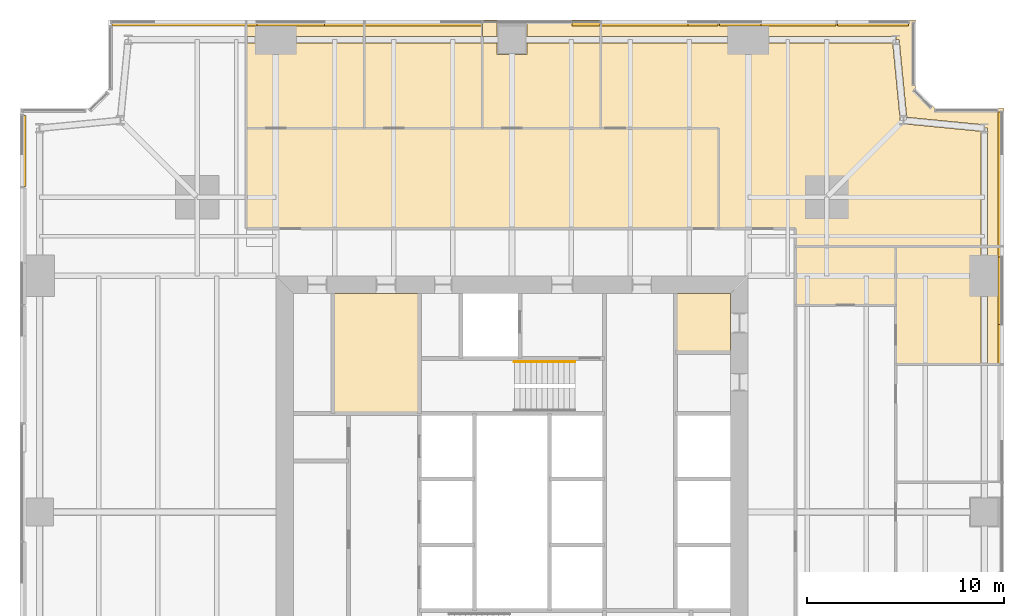
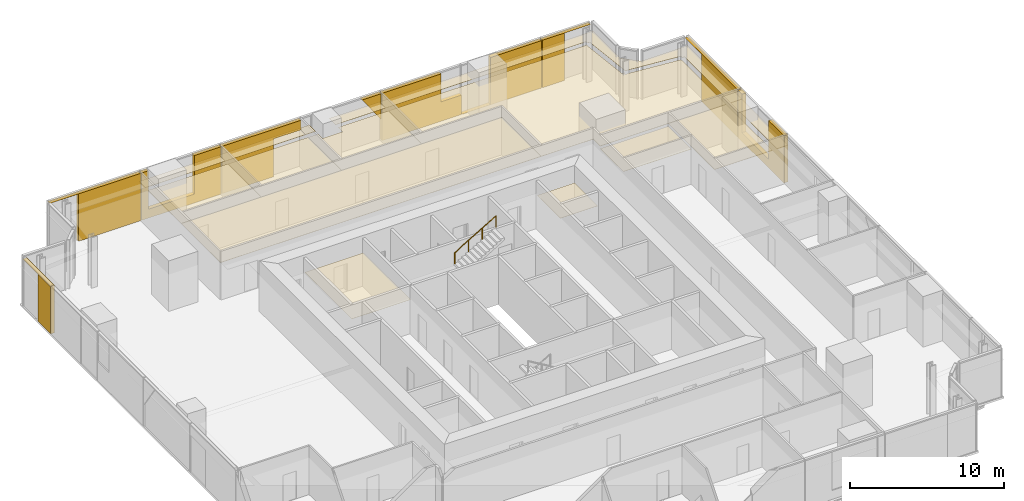
# One storey, part 13 of 13: 25 coverings, 1 railing.
"""IFC4 building model written with IfcOpenShell, lengths in metres."""

from ifc_helpers import new_model, si_unit, direction, frame, origin, origin_2d, place, context, subcontext, project, spatial, polyline, circle, outline, extrude, material, layer, layer_set, type_object, element, save


model = new_model("IFC4")

# Units and contexts
model_context = context("Model", 3, precision=1e-05, world=origin(), true_north=direction((0.0, 1.0)))
body_context = subcontext(model_context, "Body", "Model", "MODEL_VIEW")
ifc_project = project(units=[si_unit("LENGTHUNIT", "METRE"), si_unit("AREAUNIT", "SQUARE_METRE"), si_unit("VOLUMEUNIT", "CUBIC_METRE"), si_unit("PLANEANGLEUNIT", "RADIAN"), si_unit("MASSUNIT", "GRAM", prefix="KILO")], contexts=[model_context])

# Site, building, storey
site_placement = place(None, origin())
site = spatial("IfcSite", under=ifc_project, at=site_placement, CompositionType="ELEMENT")
building_placement = place(site_placement, origin())
building = spatial("IfcBuilding", under=site, at=building_placement, Name="Fenwick Lantern Interchange", CompositionType="ELEMENT")
storey_placement = place(building_placement, frame((0.0, 0.0, 102.39990234375)))
storey = spatial("IfcBuildingStorey", under=building, at=storey_placement, Name="L23", CompositionType="ELEMENT", Elevation=102.39990234375)

# Coverings
ifc_material_1 = material(Name="Mineral fibre acoustic tile on suspended grid")
ifc_layer_1 = layer(ifc_material_1, 0.02001953125)
ifc_layer_set_1 = layer_set([ifc_layer_1], Name="ACOUSTIC TILE CEILING 20")
covering_type_1 = type_object("IfcCoveringType", Name="ACOUSTIC TILE CEILING 20", PredefinedType="CEILING", material=ifc_layer_set_1)
covering_1_placement = place(storey_placement, frame((0.0, 0.0, 2.900146484375)))
element("IfcCovering", 1, at=covering_1_placement, inside=storey, type_object=covering_type_1, Name="Meeting room ceiling", PredefinedType="CEILING", context=body_context, shape_type="SweptSolid", body=[
    extrude(outline(polyline([(44.5, 32.5), (48.82763671875, 32.5), (48.82763671875, 37.0), (48.82763671875, 38.5), (44.5, 38.5), (44.5, 32.5)])), origin(), (0.0, 0.0, 1.0), 0.02001953125),
])
covering_2_placement = place(storey_placement, frame((0.0, 0.0, 2.900146484375)))
element("IfcCovering", 2, at=covering_2_placement, inside=storey, type_object=covering_type_1, Name="Meeting room ceiling", PredefinedType="CEILING", context=body_context, shape_type="SweptSolid", body=[
    extrude(outline(polyline([(50.0, 38.5), (49.17236328125, 38.5), (49.17236328125, 37.0), (49.17236328125, 32.5), (50.0, 32.5), (50.0, 38.5)])), origin(), (0.0, 0.0, 1.0), 0.02001953125),
])
covering_3_placement = place(storey_placement, frame((0.0, 0.0, 2.900146484375)))
element("IfcCovering", 3, at=covering_3_placement, inside=storey, type_object=covering_type_1, Name="Office suite ceiling", PredefinedType="CEILING", context=body_context, shape_type="SweptSolid", body=[
    extrude(outline(polyline([(35.5, 39.39990234375), (35.5, 44.5), (11.5, 44.5), (11.5, 39.39990234375), (35.5, 39.39990234375)])), origin(), (0.0, 0.0, 1.0), 0.02001953125),
])
covering_4_placement = place(storey_placement, frame((0.0, 0.0, 2.900146484375)))
element("IfcCovering", 4, at=covering_4_placement, inside=storey, type_object=covering_type_1, Name="Meeting room ceiling", PredefinedType="CEILING", context=body_context, shape_type="SweptSolid", body=[
    extrude(outline(polyline([(29.5, 48.82763671875), (29.5, 44.5), (35.5, 44.5), (35.5, 39.39990234375), (39.39990234375, 39.39990234375), (39.39990234375, 38.5), (48.82763671875, 38.5), (48.82763671875, 44.343505859375), (44.88330078125, 44.728515625), (44.89990234375, 44.89990234375), (44.728515625, 44.88330078125), (44.343505859375, 48.82763671875), (37.0, 48.82763671875), (29.5, 48.82763671875)])), origin(), (0.0, 0.0, 1.0), 0.02001953125),
])
covering_5_placement = place(storey_placement, frame((0.0, 0.0, 2.900146484375)))
element("IfcCovering", 5, at=covering_5_placement, inside=storey, type_object=covering_type_1, Name="Meeting room ceiling", PredefinedType="CEILING", context=body_context, shape_type="SweptSolid", body=[
    extrude(outline(polyline([(29.5, 50.0), (29.5, 49.17236328125), (37.0, 49.17236328125), (44.5, 49.17236328125), (44.5, 49.0), (44.671630859375, 49.016845703125), (45.057861328125, 45.057861328125), (49.016845703125, 44.671630859375), (49.0, 44.5), (49.17236328125, 44.5), (49.17236328125, 38.5), (50.0, 38.5), (50.0, 45.5), (46.5, 45.5), (45.5, 46.5), (45.5, 50.0), (29.5, 50.0)])), origin(), (0.0, 0.0, 1.0), 0.02001953125),
])
covering_6_placement = place(storey_placement, frame((0.0, 0.0, 2.900146484375)))
element("IfcCovering", 6, at=covering_6_placement, inside=storey, type_object=covering_type_1, Name="Meeting room ceiling", PredefinedType="CEILING", context=body_context, shape_type="SweptSolid", body=[
    extrude(outline(polyline([(29.5, 44.5), (29.5, 48.82763671875), (25.75, 48.82763671875), (25.75, 48.25), (24.25, 48.25), (24.25, 48.82763671875), (23.5, 48.82763671875), (23.5, 44.5), (29.5, 44.5)])), origin(), (0.0, 0.0, 1.0), 0.02001953125),
])
covering_7_placement = place(storey_placement, frame((0.0, 0.0, 2.900146484375)))
element("IfcCovering", 7, at=covering_7_placement, inside=storey, type_object=covering_type_1, Name="Meeting room ceiling", PredefinedType="CEILING", context=body_context, shape_type="SweptSolid", body=[
    extrude(outline(polyline([(29.5, 49.17236328125), (29.5, 50.0), (25.75, 50.0), (25.75, 49.17236328125), (29.5, 49.17236328125)])), origin(), (0.0, 0.0, 1.0), 0.02001953125),
])
covering_8_placement = place(storey_placement, frame((0.0, 0.0, 2.900146484375)))
element("IfcCovering", 8, at=covering_8_placement, inside=storey, type_object=covering_type_1, Name="Meeting room ceiling", PredefinedType="CEILING", context=body_context, shape_type="SweptSolid", body=[
    extrude(outline(polyline([(23.5, 50.0), (23.5, 49.17236328125), (24.25, 49.17236328125), (24.25, 50.0), (23.5, 50.0)])), origin(), (0.0, 0.0, 1.0), 0.02001953125),
])
covering_9_placement = place(storey_placement, frame((0.0, 0.0, 2.900146484375)))
element("IfcCovering", 9, at=covering_9_placement, inside=storey, type_object=covering_type_1, Name="Meeting room ceiling", PredefinedType="CEILING", context=body_context, shape_type="SweptSolid", body=[
    extrude(outline(polyline([(23.5, 44.5), (23.5, 48.82763671875), (17.5, 48.82763671875), (17.5, 44.5), (23.5, 44.5)])), origin(), (0.0, 0.0, 1.0), 0.02001953125),
])
covering_10_placement = place(storey_placement, frame((0.0, 0.0, 2.900146484375)))
element("IfcCovering", 10, at=covering_10_placement, inside=storey, type_object=covering_type_1, Name="Meeting room ceiling", PredefinedType="CEILING", context=body_context, shape_type="SweptSolid", body=[
    extrude(outline(polyline([(17.5, 50.0), (17.5, 49.17236328125), (23.5, 49.17236328125), (23.5, 50.0), (17.5, 50.0)])), origin(), (0.0, 0.0, 1.0), 0.02001953125),
])
covering_11_placement = place(storey_placement, frame((0.0, 0.0, 2.900146484375)))
element("IfcCovering", 11, at=covering_11_placement, inside=storey, type_object=covering_type_1, Name="Meeting room ceiling", PredefinedType="CEILING", context=body_context, shape_type="SweptSolid", body=[
    extrude(outline(polyline([(17.5, 44.5), (17.5, 48.82763671875), (13.0, 48.82763671875), (11.5, 48.82763671875), (11.5, 44.5), (17.5, 44.5)])), origin(), (0.0, 0.0, 1.0), 0.02001953125),
])
covering_12_placement = place(storey_placement, frame((0.0, 0.0, 2.900146484375)))
element("IfcCovering", 12, at=covering_12_placement, inside=storey, type_object=covering_type_1, Name="Meeting room ceiling", PredefinedType="CEILING", context=body_context, shape_type="SweptSolid", body=[
    extrude(outline(polyline([(11.5, 50.0), (11.5, 49.17236328125), (13.0, 49.17236328125), (17.5, 49.17236328125), (17.5, 50.0), (11.5, 50.0)])), origin(), (0.0, 0.0, 1.0), 0.02001953125),
])
ifc_material_2 = material(Name="Granite cladding, warm grey flamed finish, on aluminium carrier frame", Category="masonry")
ifc_layer_2 = layer(ifc_material_2, 0.300048828125)
ifc_layer_set_2 = layer_set([ifc_layer_2], Name="BRACE CASING PANEL 300")
covering_type_2 = type_object("IfcCoveringType", Name="BRACE CASING PANEL 300", PredefinedType="CLADDING", material=ifc_layer_set_2)
covering_13_placement = place(storey_placement, frame((49.89990234375, 4.60009765625, 0.0), z_axis=(0.0, 0.0, 1.0), x_axis=(0.0, 1.0, 0.0)))
element("IfcCovering", 13, at=covering_13_placement, inside=storey, type_object=covering_type_2, Name="Brace casing 05 bay 05a", PredefinedType="CLADDING", context=body_context, shape_type="SweptSolid", body=[
    extrude(outline(polyline([(27.9326171875, 0.0), (33.867431640625, 0.0), (33.867431640625, 3.75), (33.357421875, 3.75), (33.357421875, 0.70361328125), (29.91748046875, 0.70361328125), (29.91748046875, 3.75), (27.9326171875, 3.75), (27.9326171875, 0.0)])), frame((0.0, 0.2001953125, 0.0), z_axis=(0.0, -1.0, 0.0), x_axis=(1.0, 0.0, 0.0)), (0.0, 0.0, 1.0), 0.300048828125),
])
covering_14_placement = place(storey_placement, frame((49.89990234375, 4.60009765625, 0.0), z_axis=(0.0, 0.0, 1.0), x_axis=(0.0, 1.0, 0.0)))
element("IfcCovering", 14, at=covering_14_placement, inside=storey, type_object=covering_type_2, Name="Brace casing 05 bay 06a", PredefinedType="CLADDING", context=body_context, shape_type="SweptSolid", body=[
    extrude(outline(polyline([(33.9326171875, 0.0), (38.577880859375, 0.0), (38.577880859375, 3.7431640625), (40.735107421875, 3.7431640625), (40.735107421875, 3.75), (33.9326171875, 3.75), (33.9326171875, 0.0)])), frame((0.0, 0.2001953125, 0.0), z_axis=(0.0, -1.0, 0.0), x_axis=(1.0, 0.0, 0.0)), (0.0, 0.0, 1.0), 0.300048828125),
])
covering_15_placement = place(storey_placement, frame((45.39990234375, 49.89990234375, 0.0), z_axis=(0.0, 0.0, 1.0), x_axis=(-1.0, 0.0, 0.0)))
element("IfcCovering", 15, at=covering_15_placement, inside=storey, type_object=covering_type_2, Name="Brace casing 09 bay 00a", PredefinedType="CLADDING", context=body_context, shape_type="SweptSolid", body=[
    extrude(outline(polyline([(2.219970703125, 0.0), (3.867431640625, 0.0), (3.867431640625, 3.75), (0.264892578125, 3.75), (0.264892578125, 3.748291015625), (2.219970703125, 3.748291015625), (2.219970703125, 0.0)])), frame((0.0, 0.2001953125, 0.0), z_axis=(0.0, -1.0, 0.0), x_axis=(1.0, 0.0, 0.0)), (0.0, 0.0, 1.0), 0.300048828125),
])
covering_16_placement = place(storey_placement, frame((45.39990234375, 49.89990234375, 0.0), z_axis=(0.0, 0.0, 1.0), x_axis=(-1.0, 0.0, 0.0)))
element("IfcCovering", 16, at=covering_16_placement, inside=storey, type_object=covering_type_2, Name="Brace casing 09 bay 01a", PredefinedType="CLADDING", context=body_context, shape_type="SweptSolid", body=[
    extrude(outline(polyline([(3.9326171875, 0.0), (9.867431640625, 0.0), (9.867431640625, 0.007080078125), (7.7412109375, 0.007080078125), (7.7412109375, 3.75), (3.9326171875, 3.75), (3.9326171875, 0.0)])), frame((0.0, 0.2001953125, 0.0), z_axis=(0.0, -1.0, 0.0), x_axis=(1.0, 0.0, 0.0)), (0.0, 0.0, 1.0), 0.300048828125),
])
covering_17_placement = place(storey_placement, frame((45.39990234375, 49.89990234375, 0.0), z_axis=(0.0, 0.0, 1.0), x_axis=(-1.0, 0.0, 0.0)))
element("IfcCovering", 17, at=covering_17_placement, inside=storey, type_object=covering_type_2, Name="Brace casing 09 bay 02a", PredefinedType="CLADDING", context=body_context, shape_type="SweptSolid", body=[
    extrude(outline(polyline([(9.9326171875, 0.0), (15.867431640625, 0.0), (15.867431640625, 3.75), (11.452392578125, 3.75), (11.452392578125, 1.5341796875), (9.9326171875, 1.5341796875), (9.9326171875, 0.0)])), frame((0.0, 0.2001953125, 0.0), z_axis=(0.0, -1.0, 0.0), x_axis=(1.0, 0.0, 0.0)), (0.0, 0.0, 1.0), 0.300048828125),
])
covering_18_placement = place(storey_placement, frame((45.39990234375, 49.89990234375, 1.70068359375), z_axis=(0.0, 0.0, 1.0), x_axis=(-1.0, 0.0, 0.0)))
element("IfcCovering", 18, at=covering_18_placement, inside=storey, type_object=covering_type_2, Name="Brace casing 09 bay 03a", PredefinedType="CLADDING", context=body_context, shape_type="SweptSolid", body=[
    extrude(outline(polyline([(15.9326171875, 0.0), (17.338623046875, 2.04931640625), (15.9326171875, 2.04931640625), (15.9326171875, 0.0)])), frame((0.0, 0.2001953125, 0.0), z_axis=(0.0, -1.0, 0.0), x_axis=(1.0, 0.0, 0.0)), (0.0, 0.0, 1.0), 0.300048828125),
])
covering_19_placement = place(storey_placement, frame((45.39990234375, 49.89990234375, 0.0), z_axis=(0.0, 0.0, 1.0), x_axis=(-1.0, 0.0, 0.0)))
element("IfcCovering", 19, at=covering_19_placement, inside=storey, type_object=covering_type_2, Name="Brace casing 09 bay 04a", PredefinedType="CLADDING", context=body_context, shape_type="SweptSolid", body=[
    extrude(outline(polyline([(23.982421875, 0.0), (27.867431640625, 0.0), (27.867431640625, 3.75), (21.9326171875, 3.75), (21.9326171875, 2.990478515625), (23.982421875, 2.990478515625), (23.982421875, 0.0)])), frame((0.0, 0.2001953125, 0.0), z_axis=(0.0, -1.0, 0.0), x_axis=(1.0, 0.0, 0.0)), (0.0, 0.0, 1.0), 0.300048828125),
])
covering_20_placement = place(storey_placement, frame((45.39990234375, 49.89990234375, 0.0), z_axis=(0.0, 0.0, 1.0), x_axis=(-1.0, 0.0, 0.0)))
element("IfcCovering", 20, at=covering_20_placement, inside=storey, type_object=covering_type_2, Name="Brace casing 09 bay 05a", PredefinedType="CLADDING", context=body_context, shape_type="SweptSolid", body=[
    extrude(outline(polyline([(27.9326171875, 0.0), (33.867431640625, 0.0), (33.867431640625, 3.75), (33.357421875, 3.75), (33.357421875, 0.70361328125), (29.91748046875, 0.70361328125), (29.91748046875, 3.75), (27.9326171875, 3.75), (27.9326171875, 0.0)])), frame((0.0, 0.2001953125, 0.0), z_axis=(0.0, -1.0, 0.0), x_axis=(1.0, 0.0, 0.0)), (0.0, 0.0, 1.0), 0.300048828125),
])
covering_21_placement = place(storey_placement, frame((45.39990234375, 49.89990234375, 0.0), z_axis=(0.0, 0.0, 1.0), x_axis=(-1.0, 0.0, 0.0)))
element("IfcCovering", 21, at=covering_21_placement, inside=storey, type_object=covering_type_2, Name="Brace casing 09 bay 06a", PredefinedType="CLADDING", context=body_context, shape_type="SweptSolid", body=[
    extrude(outline(polyline([(33.9326171875, 0.0), (38.577880859375, 0.0), (38.577880859375, 3.7431640625), (40.735107421875, 3.7431640625), (40.735107421875, 3.75), (33.9326171875, 3.75), (33.9326171875, 0.0)])), frame((0.0, 0.2001953125, 0.0), z_axis=(0.0, -1.0, 0.0), x_axis=(1.0, 0.0, 0.0)), (0.0, 0.0, 1.0), 0.300048828125),
])
covering_22_placement = place(storey_placement, frame((0.10009765625, 45.39990234375, 0.0), z_axis=(0.0, 0.0, 1.0), x_axis=(0.0, -1.0, 0.0)))
element("IfcCovering", 22, at=covering_22_placement, inside=storey, type_object=covering_type_2, Name="Brace casing 13 bay 00a", PredefinedType="CLADDING", context=body_context, shape_type="SweptSolid", body=[
    extrude(outline(polyline([(2.219970703125, 0.0), (3.867431640625, 0.0), (3.867431640625, 3.75), (0.264892578125, 3.75), (0.264892578125, 3.748291015625), (2.219970703125, 3.748291015625), (2.219970703125, 0.0)])), frame((0.0, 0.2001953125, 0.0), z_axis=(0.0, -1.0, 0.0), x_axis=(1.0, 0.0, 0.0)), (0.0, 0.0, 1.0), 0.300048828125),
])

# Railing
ifc_material_3 = material(Name="Stainless steel handrail", Category="steel")
railing_type = type_object("IfcRailingType", Name="HANDRAIL 900", PredefinedType="HANDRAIL", material=ifc_material_3)
railing_placement = place(storey_placement, frame((25.1201171875, 32.6259765625, 2.166748046875)))
element("IfcRailing", 23, at=railing_placement, inside=storey, type_object=railing_type, Name="L23/STAIR/ST2/HR2", PredefinedType="HANDRAIL", context=body_context, shape_type="SweptSolid", body=[
    extrude(circle(Radius=0.02392578125, at=origin_2d()), frame((0.0, 0.0, 0.8759765625), z_axis=(0.859290745958, 0.0, 0.51148745235), x_axis=(0.0, 1.0, 0.0)), (0.0, 0.0, 1.0), 3.584228515625),
    extrude(circle(Radius=0.02099609375, at=origin_2d()), origin(), (0.0, 0.0, 1.0), 0.851806640625),
    extrude(circle(Radius=0.02099609375, at=origin_2d()), frame((1.026611328125, 0.0, 0.611083984375)), (0.0, 0.0, 1.0), 0.851806640625),
    extrude(circle(Radius=0.02099609375, at=origin_2d()), frame((2.05322265625, 0.0, 1.22216796875)), (0.0, 0.0, 1.0), 0.851806640625),
    extrude(circle(Radius=0.02099609375, at=origin_2d()), frame((3.079833984375, 0.0, 1.833251953125)), (0.0, 0.0, 1.0), 0.851806640625),
])

# Coverings
ifc_material_4 = material(Name="Moisture resistant gypsum board on suspended frame, painted")
ifc_layer_3 = layer(ifc_material_4, 0.014892578125)
ifc_layer_set_3 = layer_set([ifc_layer_3], Name="MOISTURE RESISTANT CEILING 15")
covering_type_3 = type_object("IfcCoveringType", Name="MOISTURE RESISTANT CEILING 15", PredefinedType="CEILING", material=ifc_layer_set_3)
covering_23_placement = place(storey_placement, frame((0.0, 0.0, 2.60009765625)))
element("IfcCovering", 24, at=covering_23_placement, inside=storey, type_object=covering_type_3, Name="Women's WC ceiling", PredefinedType="CEILING", context=body_context, shape_type="SweptSolid", body=[
    extrude(outline(polyline([(20.300048828125, 36.10009765625), (15.89990234375, 36.10009765625), (15.89990234375, 30.0), (20.300048828125, 30.0), (20.300048828125, 36.10009765625)])), origin(), (0.0, 0.0, 1.0), 0.014892578125),
])
covering_24_placement = place(storey_placement, frame((0.0, 0.0, 2.60009765625)))
element("IfcCovering", 25, at=covering_24_placement, inside=storey, type_object=covering_type_3, Name="Accessible WC ceiling", PredefinedType="CEILING", context=body_context, shape_type="SweptSolid", body=[
    extrude(outline(polyline([(36.10009765625, 36.10009765625), (33.300048828125, 36.10009765625), (33.300048828125, 33.10009765625), (36.10009765625, 33.10009765625), (36.10009765625, 36.10009765625)])), origin(), (0.0, 0.0, 1.0), 0.014892578125),
])
covering_25_placement = place(storey_placement, frame((0.0, 0.0, 2.7001953125)))
element("IfcCovering", 26, at=covering_25_placement, inside=storey, type_object=covering_type_3, Name="Pantry ceiling", PredefinedType="CEILING", context=body_context, shape_type="SweptSolid", body=[
    extrude(outline(polyline([(44.5, 35.5), (44.5, 38.5), (39.39990234375, 38.5), (39.39990234375, 35.5), (44.5, 35.5)])), origin(), (0.0, 0.0, 1.0), 0.014892578125),
])

save(model, "model.ifc")
